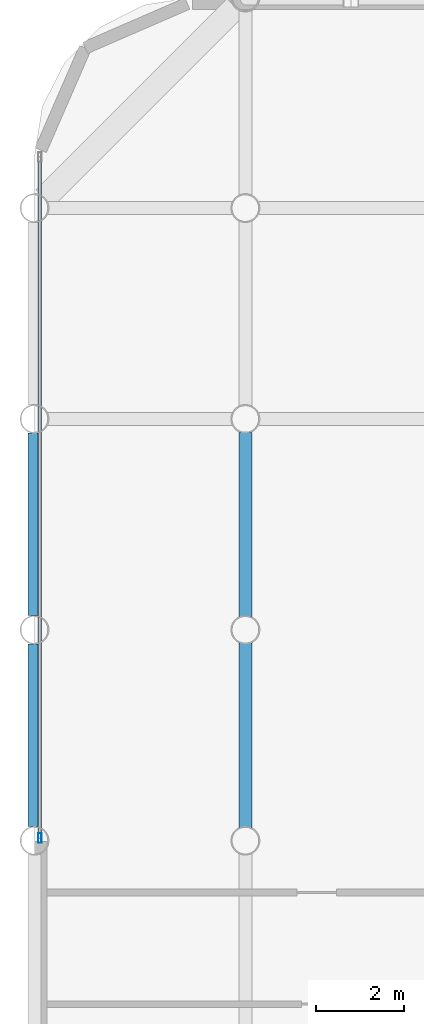
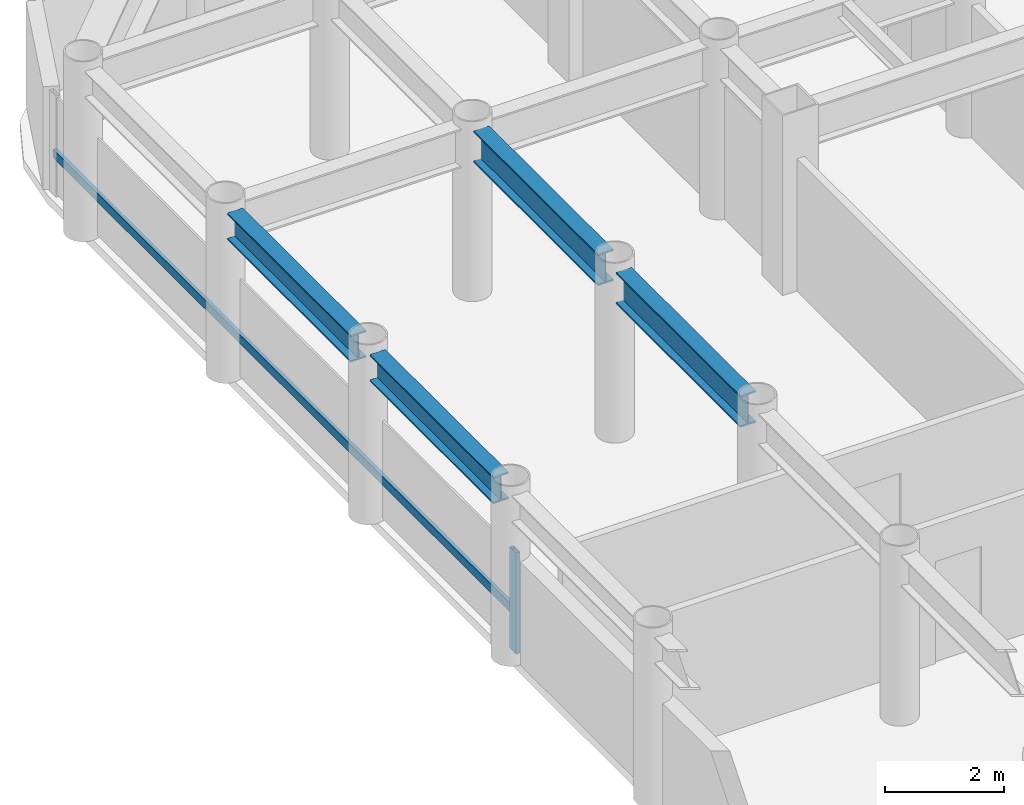
# One storey, part 4 of 20: 4 beams, 2 members, 1 element without a shape of its own.
"""IFC4 building model written with IfcOpenShell, lengths in metres."""

from ifc_helpers import new_model, si_unit, direction, frame, origin, origin_2d, place, context, subcontext, project, spatial, hollow_rectangle, i_section, extrude, material, layer, layer_set, material_profile, profile_set, type_object, element, aggregate, save


model = new_model("IFC4")

# Units and contexts
model_context = context("Model", 3, precision=1e-05, world=origin(), true_north=direction((0.0, 1.0)))
body_context = subcontext(model_context, "Body", "Model", "MODEL_VIEW")
ifc_project = project(units=[si_unit("LENGTHUNIT", "METRE"), si_unit("AREAUNIT", "SQUARE_METRE"), si_unit("VOLUMEUNIT", "CUBIC_METRE"), si_unit("PLANEANGLEUNIT", "RADIAN"), si_unit("MASSUNIT", "GRAM", prefix="KILO")], contexts=[model_context])

# Site, building, storey
site_placement = place(None, origin())
site = spatial("IfcSite", under=ifc_project, at=site_placement, CompositionType="ELEMENT")
building_placement = place(site_placement, origin())
building = spatial("IfcBuilding", under=site, at=building_placement, Name="Kallvorn Hotel Tower", CompositionType="ELEMENT")
storey_placement = place(building_placement, frame((0.0, 0.0, 158.10009765625)))
storey = spatial("IfcBuildingStorey", under=building, at=storey_placement, Name="L39", CompositionType="ELEMENT", Elevation=158.10009765625)

# Beams
ifc_material_1 = material(Name="Structural steel S355JR", Category="steel")
ifc_material_profile_1 = material_profile(ifc_material_1, i_section(OverallWidth=0.300048828125, OverallDepth=0.550048828125, WebThickness=0.014892578125, FlangeThickness=0.029052734375, at=origin_2d()), Name="HE 550 B")
ifc_profile_set_1 = profile_set([ifc_material_profile_1], Name="Structural steel S355JR")
beam_type_1 = type_object("IfcBeamType", Name="BM_HE550B", PredefinedType="SPANDREL", material=ifc_profile_set_1)
for number, where, z_axis, x_axis, name in (
    (1, (-33.60009765625, 0.320068359375, 3.244873046875), (0.0, 1.0, 0.0), (-1.0, 0.0, 0.0), "L40 Perimeter Spandrel 178"),
    (2, (-33.60009765625, 5.1201171875, 3.244873046875), (0.0, 1.0, 0.0), (-1.0, 0.0, 0.0), "L40 Perimeter Spandrel 179"),
):
    element("IfcBeam", number, at=place(storey_placement, frame(where, z_axis=z_axis, x_axis=x_axis)), inside=storey, type_object=beam_type_1, Name=name, PredefinedType="SPANDREL", context=body_context, shape_type="SweptSolid", body=[
        extrude(i_section(OverallWidth=0.300048828125, OverallDepth=0.550048828125, WebThickness=0.014892578125, FlangeThickness=0.029052734375, at=origin_2d()), origin(), (0.0, 0.0, 1.0), 4.159912109375),
    ])
ifc_material_2 = material(Name="Structural steel S355JR", Category="steel")
ifc_material_profile_2 = material_profile(ifc_material_2, i_section(OverallWidth=0.300048828125, OverallDepth=0.64990234375, WebThickness=0.01611328125, FlangeThickness=0.031005859375, at=origin_2d()), Name="HE 650 B")
ifc_profile_set_2 = profile_set([ifc_material_profile_2], Name="Structural steel S355JR")
beam_type_2 = type_object("IfcBeamType", Name="BM_HE650B", PredefinedType="BEAM", material=ifc_profile_set_2)
beam_1_placement = place(storey_placement, frame((-28.800048828125, 0.304931640625, 3.19482421875), z_axis=(0.0, 1.0, 0.0), x_axis=(-1.0, 0.0, 0.0)))
element("IfcBeam", 3, at=beam_1_placement, inside=storey, type_object=beam_type_2, Name="L40 Primary Y-Girder 78", PredefinedType="BEAM", context=body_context, shape_type="SweptSolid", body=[
    extrude(i_section(OverallWidth=0.300048828125, OverallDepth=0.64990234375, WebThickness=0.01611328125, FlangeThickness=0.031005859375, at=origin_2d()), origin(), (0.0, 0.0, 1.0), 4.190185546875),
])
beam_2_placement = place(storey_placement, frame((-28.800048828125, 5.10498046875, 3.19482421875), z_axis=(0.0, 1.0, 0.0), x_axis=(-1.0, 0.0, 0.0)))
element("IfcBeam", 4, at=beam_2_placement, inside=storey, type_object=beam_type_2, Name="L40 Primary Y-Girder 79", PredefinedType="BEAM", context=body_context, shape_type="SweptSolid", body=[
    extrude(i_section(OverallWidth=0.300048828125, OverallDepth=0.64990234375, WebThickness=0.01611328125, FlangeThickness=0.031005859375, at=origin_2d()), origin(), (0.0, 0.0, 1.0), 4.18994140625),
])

# Curtain wall, members
ifc_material_3 = material(Name="Thermally broken black-anodised aluminium AA 6063-T6", Category="aluminium")
ifc_layer = layer(ifc_material_3, 0.2099609375)
ifc_layer_set = layer_set([ifc_layer], Name="CW_SYS_4_HOTEL_MID")
curtain_wall_type = type_object("IfcCurtainWallType", Name="CW_SYS_4_HOTEL_MID", PredefinedType="USERDEFINED", material=ifc_layer_set)
curtain_wall_placement = place(storey_placement, origin())
curtain_wall = element("IfcCurtainWall", 5, at=curtain_wall_placement, inside=storey, type_object=curtain_wall_type, Name="L39 Dark-Glass Curtain Wall CW-L39-WN", ObjectType="UNITISED CURTAIN WALL", PredefinedType="USERDEFINED")
ifc_material_4 = material(Name="Thermally broken black-anodised aluminium AA 6063-T6", Category="aluminium")
ifc_material_profile_3 = material_profile(ifc_material_4, hollow_rectangle(XDim=0.080078125, YDim=0.219970703125, WallThickness=0.0048828125, at=origin_2d()), Name="MUL 220x80")
ifc_profile_set_3 = profile_set([ifc_material_profile_3], Name="Thermally broken black-anodised aluminium AA 6063-T6")
member_type_1 = type_object("IfcMemberType", Name="CW_MULLION_220x80", PredefinedType="MULLION", material=ifc_profile_set_3)
member_1_placement = place(storey_placement, frame((-33.47998046875, 0.06005859375, 0.02001953125), z_axis=(0.0, 0.0, 1.0), x_axis=(1.0, 0.0, 0.0)))
member_1 = element("IfcMember", 6, at=member_1_placement, type_object=member_type_1, Name="CW-L39-WN Mullion 00", PredefinedType="MULLION", context=body_context, shape_type="SweptSolid", body=[
    extrude(hollow_rectangle(XDim=0.080078125, YDim=0.219970703125, WallThickness=0.0048828125, at=origin_2d()), origin(), (0.0, 0.0, 1.0), 2.079833984375),
])
ifc_material_5 = material(Name="Thermally broken black-anodised aluminium AA 6063-T6", Category="aluminium")
ifc_material_profile_4 = material_profile(ifc_material_5, hollow_rectangle(XDim=0.070068359375, YDim=0.179931640625, WallThickness=0.00390625, at=origin_2d()), Name="TRN 180x70")
ifc_profile_set_4 = profile_set([ifc_material_profile_4], Name="Thermally broken black-anodised aluminium AA 6063-T6")
member_type_2 = type_object("IfcMemberType", Name="CW_TRANSOM_180x70", PredefinedType="USERDEFINED", material=ifc_profile_set_4)
member_2_placement = place(storey_placement, frame((-33.47998046875, 0.06005859375, 0.849853515625), z_axis=(0.0, 1.0, 0.0), x_axis=(-1.0, 0.0, 0.0)))
member_2 = element("IfcMember", 7, at=member_2_placement, type_object=member_type_2, Name="CW-L39-WN Transom 00M", ObjectType="TRANSOM", PredefinedType="USERDEFINED", context=body_context, shape_type="SweptSolid", body=[
    extrude(hollow_rectangle(XDim=0.070068359375, YDim=0.179931640625, WallThickness=0.00390625, at=origin_2d()), origin(), (0.0, 0.0, 1.0), 15.5),
])
aggregate(curtain_wall, [member_1, member_2])

save(model, "model.ifc")
